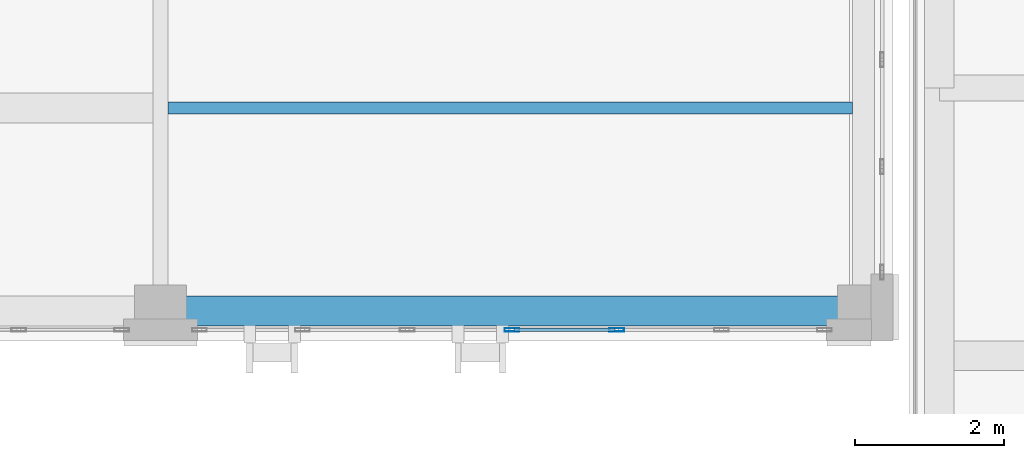
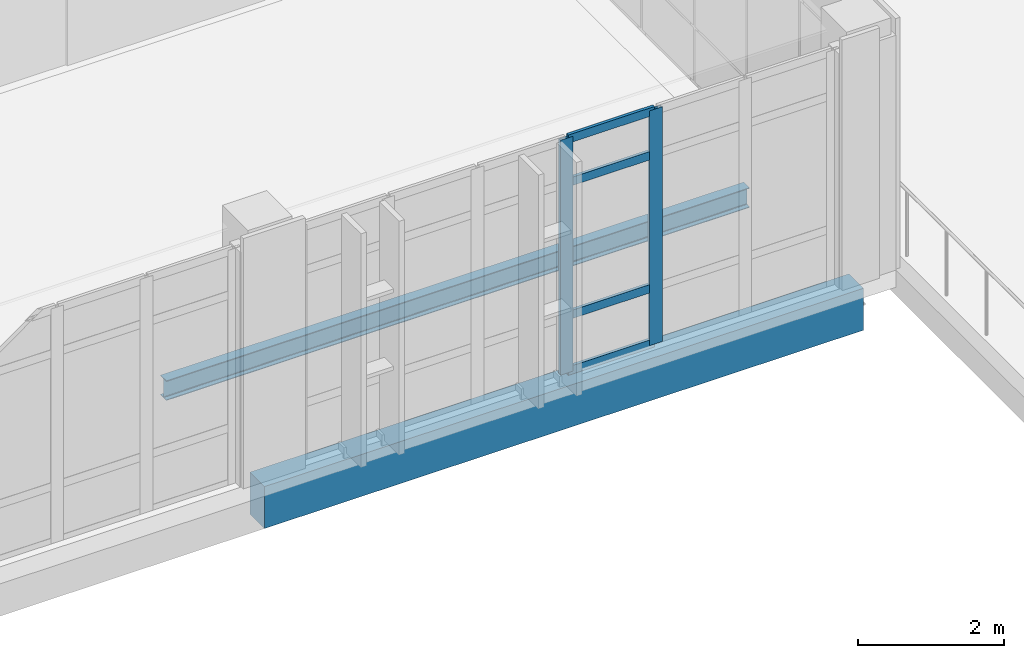
# One storey, part 39 of 165: 6 members, 2 beams, 1 element without a shape of its own.
"""IFC4 building model written with IfcOpenShell, lengths in metres."""

from ifc_helpers import new_model, si_unit, direction, frame, origin, origin_2d, place, context, subcontext, project, spatial, rectangle, hollow_rectangle, i_section, extrude, material, layer, layer_set, material_profile, profile_set, type_object, element, aggregate, save


model = new_model("IFC4")

# Units and contexts
model_context = context("Model", 3, precision=1e-05, world=origin(), true_north=direction((0.0, 1.0)))
body_context = subcontext(model_context, "Body", "Model", "MODEL_VIEW")
ifc_project = project(units=[si_unit("LENGTHUNIT", "METRE"), si_unit("AREAUNIT", "SQUARE_METRE"), si_unit("VOLUMEUNIT", "CUBIC_METRE"), si_unit("PLANEANGLEUNIT", "RADIAN"), si_unit("MASSUNIT", "GRAM", prefix="KILO")], contexts=[model_context])

# Site, building, storey
site_placement = place(None, origin())
site = spatial("IfcSite", under=ifc_project, at=site_placement, CompositionType="ELEMENT")
building_placement = place(site_placement, origin())
building = spatial("IfcBuilding", under=site, at=building_placement, Name="Qalavern Law Courts", CompositionType="ELEMENT")
storey_placement = place(building_placement, frame((0.0, 0.0, 14.39990234375)))
storey = spatial("IfcBuildingStorey", under=building, at=storey_placement, Name="L03", CompositionType="ELEMENT", Elevation=14.39990234375)

# Curtain wall, members
ifc_material_1 = material(Name="Anodised aluminium and insulated glazing", Category="aluminium")
ifc_layer = layer(ifc_material_1, 0.18505859375)
ifc_layer_set = layer_set([ifc_layer], Name="Anodised aluminium and insulated glazing")
curtain_wall_type = type_object("IfcCurtainWallType", Name="ENV-CW-HALL", PredefinedType="USERDEFINED", material=ifc_layer_set)
curtain_wall_placement = place(storey_placement, origin())
curtain_wall = element("IfcCurtainWall", 1, at=curtain_wall_placement, inside=storey, type_object=curtain_wall_type, Name="V2 unitised curtain wall L03 south 6", ObjectType="UNITISED CURTAIN WALL", PredefinedType="USERDEFINED")
ifc_material_2 = material(Name="Anodised aluminium", Category="aluminium")
ifc_material_profile_1 = material_profile(ifc_material_2, hollow_rectangle(XDim=0.048095703125, YDim=0.199951171875, WallThickness=0.00439453125, at=origin_2d()), Name="ALU MULLION 48x200")
ifc_profile_set_1 = profile_set([ifc_material_profile_1], Name="Anodised aluminium")
member_type_1 = type_object("IfcMemberType", Name="ENV-CWM-48x200", PredefinedType="MULLION", material=ifc_profile_set_1)
member_1_placement = place(storey_placement, frame((96.07275390625, 5.347412109375, 0.0), z_axis=(0.0, 0.0, 1.0), x_axis=(0.0, 1.0, 0.0)))
member_1 = element("IfcMember", 2, at=member_1_placement, type_object=member_type_1, Name="CW-02 mullion 4", PredefinedType="MULLION", context=body_context, shape_type="SweptSolid", body=[
    extrude(hollow_rectangle(XDim=0.048095703125, YDim=0.199951171875, WallThickness=0.00439453125, at=origin_2d()), origin(), (0.0, 0.0, 1.0), 3.920166015625),
])
member_2_placement = place(storey_placement, frame((97.48193359375, 5.347412109375, 0.0), z_axis=(0.0, 0.0, 1.0), x_axis=(0.0, 1.0, 0.0)))
member_2 = element("IfcMember", 3, at=member_2_placement, type_object=member_type_1, Name="CW-02 mullion 5", PredefinedType="MULLION", context=body_context, shape_type="SweptSolid", body=[
    extrude(hollow_rectangle(XDim=0.048095703125, YDim=0.199951171875, WallThickness=0.00439453125, at=origin_2d()), origin(), (0.0, 0.0, 1.0), 3.920166015625),
])
ifc_material_profile_2 = material_profile(ifc_material_2, hollow_rectangle(XDim=0.048095703125, YDim=0.139892578125, WallThickness=0.00390625, at=origin_2d()), Name="ALU TRANSOM 48x140")
ifc_profile_set_2 = profile_set([ifc_material_profile_2], Name="Anodised aluminium")
member_type_2 = type_object("IfcMemberType", Name="ENV-CWT-48x140", PredefinedType="USERDEFINED", material=ifc_profile_set_2)
member_3_placement = place(storey_placement, frame((96.096923828125, 5.347412109375, 0.024169921875), z_axis=(1.0, 0.0, 0.0), x_axis=(0.0, 1.0, 0.0)))
member_3 = element("IfcMember", 4, at=member_3_placement, type_object=member_type_2, Name="CW-02 transom 4.1", ObjectType="TRANSOM", PredefinedType="USERDEFINED", context=body_context, shape_type="SweptSolid", body=[
    extrude(hollow_rectangle(XDim=0.048095703125, YDim=0.139892578125, WallThickness=0.00390625, at=origin_2d()), origin(), (0.0, 0.0, 1.0), 1.361083984375),
])
member_4_placement = place(storey_placement, frame((96.096923828125, 5.347412109375, 0.9501953125), z_axis=(1.0, 0.0, 0.0), x_axis=(0.0, 1.0, 0.0)))
member_4 = element("IfcMember", 5, at=member_4_placement, type_object=member_type_2, Name="CW-02 transom 4.2", ObjectType="TRANSOM", PredefinedType="USERDEFINED", context=body_context, shape_type="SweptSolid", body=[
    extrude(hollow_rectangle(XDim=0.048095703125, YDim=0.139892578125, WallThickness=0.00390625, at=origin_2d()), origin(), (0.0, 0.0, 1.0), 1.361083984375),
])
member_5_placement = place(storey_placement, frame((96.096923828125, 5.347412109375, 3.170166015625), z_axis=(1.0, 0.0, 0.0), x_axis=(0.0, 1.0, 0.0)))
member_5 = element("IfcMember", 6, at=member_5_placement, type_object=member_type_2, Name="CW-02 transom 4.3", ObjectType="TRANSOM", PredefinedType="USERDEFINED", context=body_context, shape_type="SweptSolid", body=[
    extrude(hollow_rectangle(XDim=0.048095703125, YDim=0.139892578125, WallThickness=0.00390625, at=origin_2d()), origin(), (0.0, 0.0, 1.0), 1.361083984375),
])
member_6_placement = place(storey_placement, frame((96.096923828125, 5.347412109375, 3.89599609375), z_axis=(1.0, 0.0, 0.0), x_axis=(0.0, 1.0, 0.0)))
member_6 = element("IfcMember", 7, at=member_6_placement, type_object=member_type_2, Name="CW-02 transom 4.4", ObjectType="TRANSOM", PredefinedType="USERDEFINED", context=body_context, shape_type="SweptSolid", body=[
    extrude(hollow_rectangle(XDim=0.048095703125, YDim=0.139892578125, WallThickness=0.00390625, at=origin_2d()), origin(), (0.0, 0.0, 1.0), 1.361083984375),
])
aggregate(curtain_wall, [member_1, member_2, member_3, member_4, member_5, member_6])

# Beams
ifc_material_3 = material(Name="Steel S355", Category="steel")
ifc_material_profile_3 = material_profile(ifc_material_3, i_section(OverallWidth=0.159912109375, OverallDepth=0.330078125, WebThickness=0.007568359375, FlangeThickness=0.011474609375, FilletRadius=0.01806640625, at=origin_2d()), Name="IPE 330")
ifc_profile_set_3 = profile_set([ifc_material_profile_3], Name="Steel S355")
beam_type_1 = type_object("IfcBeamType", Name="STR-JST-IPE330", PredefinedType="JOIST", material=ifc_profile_set_3)
beam_1_placement = place(storey_placement, frame((91.443603515625, 8.333251953125, -0.449951171875), z_axis=(1.0, 0.0, 0.0), x_axis=(0.0, 1.0, 0.0)))
element("IfcBeam", 8, at=beam_1_placement, inside=storey, type_object=beam_type_1, Name="V2 secondary joist 7.1.1 L03", PredefinedType="JOIST", context=body_context, shape_type="SweptSolid", body=[
    extrude(i_section(OverallWidth=0.159912109375, OverallDepth=0.330078125, WebThickness=0.007568359375, FlangeThickness=0.011474609375, FilletRadius=0.01806640625, at=origin_2d()), origin(), (0.0, 0.0, 1.0), 9.20849609375),
])
ifc_material_4 = material(Name="Concrete C40/50", Category="concrete")
ifc_material_profile_4 = material_profile(ifc_material_4, rectangle(XDim=0.39990234375, YDim=0.699951171875, at=origin_2d()), Name="RC 400x700")
ifc_profile_set_4 = profile_set([ifc_material_profile_4], Name="Concrete C40/50")
beam_type_2 = type_object("IfcBeamType", Name="STR-SP-RC400x700", PredefinedType="SPANDREL", material=ifc_profile_set_4)
beam_2_placement = place(storey_placement, frame((91.345703125, 5.60009765625, -0.635009765625), z_axis=(1.0, 0.0, 0.0), x_axis=(0.0, 1.0, 0.0)))
element("IfcBeam", 9, at=beam_2_placement, inside=storey, type_object=beam_type_2, Name="V2 X-beam 1-7 L03", PredefinedType="SPANDREL", context=body_context, shape_type="SweptSolid", body=[
    extrude(rectangle(XDim=0.39990234375, YDim=0.699951171875, at=origin_2d()), origin(), (0.0, 0.0, 1.0), 9.454345703125),
])

save(model, "model.ifc")
